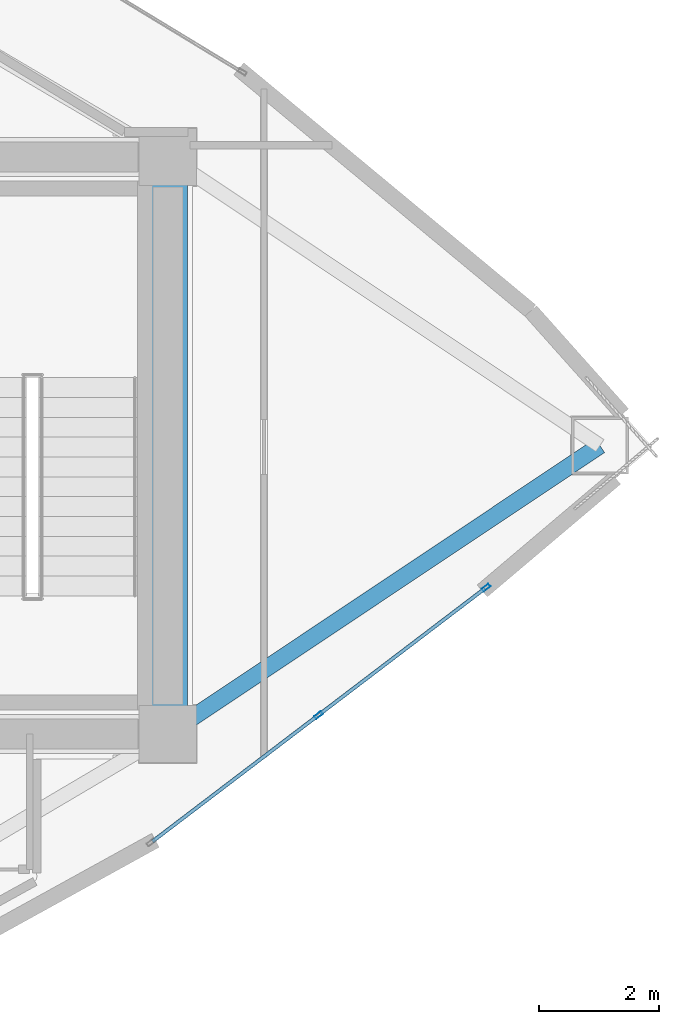
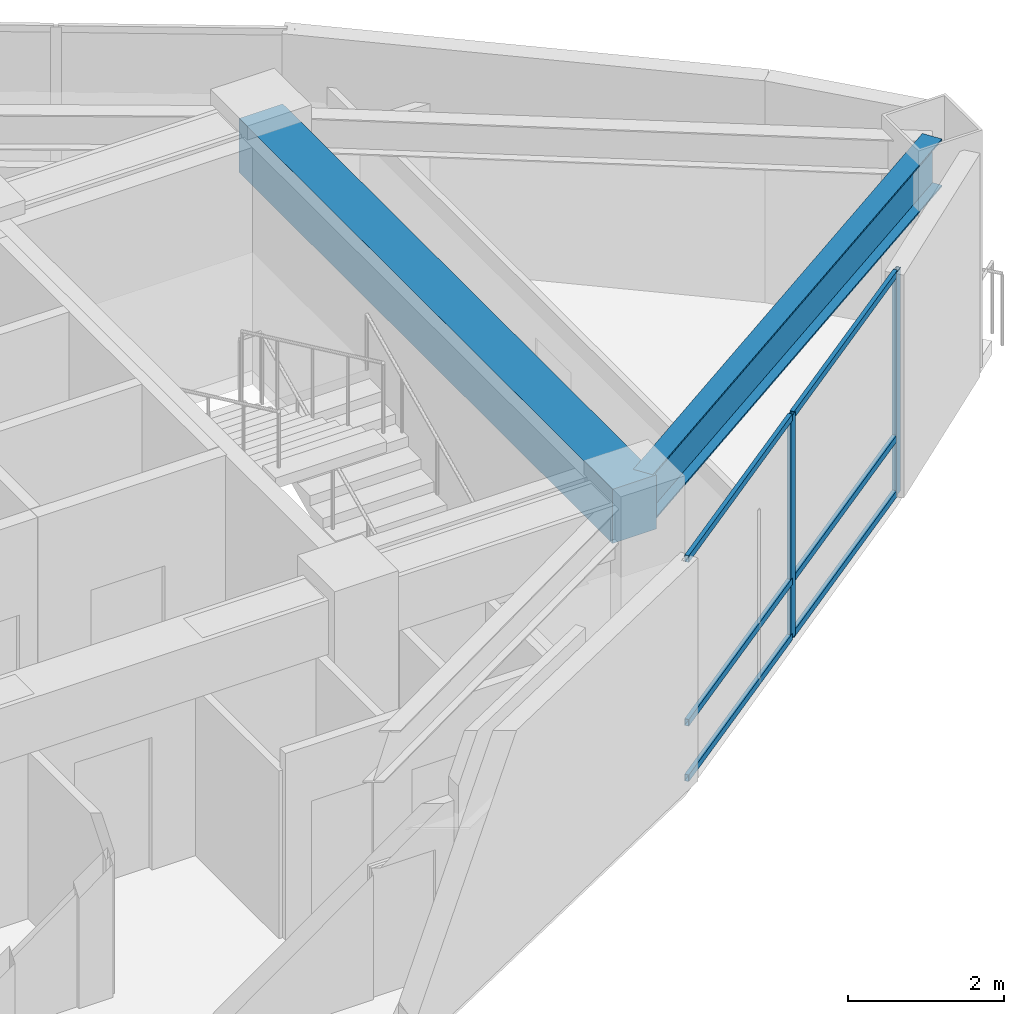
# One storey, part 5 of 15: 8 members, 2 beams, 1 element without a shape of its own.
"""IFC4 building model written with IfcOpenShell, lengths in metres."""

from ifc_helpers import new_model, si_unit, direction, frame, origin, origin_2d, place, context, subcontext, project, spatial, rectangle, hollow_rectangle, i_section, extrude, material, layer, layer_set, material_profile, profile_set, type_object, element, aggregate, save


model = new_model("IFC4")

# Units and contexts
model_context = context("Model", 3, precision=1e-05, world=origin(), true_north=direction((0.0, 1.0)))
body_context = subcontext(model_context, "Body", "Model", "MODEL_VIEW")
ifc_project = project(units=[si_unit("LENGTHUNIT", "METRE"), si_unit("AREAUNIT", "SQUARE_METRE"), si_unit("VOLUMEUNIT", "CUBIC_METRE"), si_unit("PLANEANGLEUNIT", "RADIAN"), si_unit("MASSUNIT", "GRAM", prefix="KILO")], contexts=[model_context])

# Site, building, storey
site_placement = place(None, origin())
site = spatial("IfcSite", under=ifc_project, at=site_placement, CompositionType="ELEMENT")
building_placement = place(site_placement, origin())
building = spatial("IfcBuilding", under=site, at=building_placement, Name="Menara Vayukalpa", CompositionType="ELEMENT")
storey_placement = place(building_placement, frame((0.0, 0.0, 180.360107421875)))
storey = spatial("IfcBuildingStorey", under=building, at=storey_placement, Name="L45", CompositionType="ELEMENT", Elevation=180.360107421875)

# Beams
ifc_material_1 = material(Name="Concrete C60/75", Category="concrete")
ifc_material_profile_1 = material_profile(ifc_material_1, rectangle(XDim=0.64990234375, YDim=0.85009765625, at=origin_2d()), Name="RC 650x850")
ifc_profile_set_1 = profile_set([ifc_material_profile_1], Name="Concrete C60/75")
beam_type_1 = type_object("IfcBeamType", Name="BM-CB1", PredefinedType="BEAM", material=ifc_profile_set_1)
beam_1_placement = place(storey_placement, frame((33.39990234375, 17.199951171875, 3.074951171875), z_axis=(0.0, 1.0, 0.0), x_axis=(-1.0, 0.0, 0.0)))
element("IfcBeam", 1, at=beam_1_placement, inside=storey, type_object=beam_type_1, Name="L45 Core Tie Beam CBR8", PredefinedType="BEAM", context=body_context, shape_type="SweptSolid", body=[
    extrude(rectangle(XDim=0.64990234375, YDim=0.85009765625, at=origin_2d()), origin(), (0.0, 0.0, 1.0), 9.60009765625),
])
ifc_material_2 = material(Name="Steel S355", Category="steel")
ifc_material_profile_2 = material_profile(ifc_material_2, i_section(OverallWidth=0.280029296875, OverallDepth=0.75, WebThickness=0.013916015625, FlangeThickness=0.02490234375, at=origin_2d()), Name="WF 750x280x14x25")
ifc_profile_set_2 = profile_set([ifc_material_profile_2], Name="Steel S355")
beam_type_2 = type_object("IfcBeamType", Name="BM-PG4", PredefinedType="BEAM", material=ifc_profile_set_2)
beam_2_placement = place(storey_placement, frame((33.60791015625, 17.3388671875, 3.125), z_axis=(0.831719080732, 0.555196695547, 0.0), x_axis=(-0.555196695547, 0.831719080732, 0.0)))
element("IfcBeam", 2, at=beam_2_placement, inside=storey, type_object=beam_type_2, Name="L45 Primary Radial Girder RG01", PredefinedType="BEAM", context=body_context, shape_type="SweptSolid", body=[
    extrude(i_section(OverallWidth=0.280029296875, OverallDepth=0.75, WebThickness=0.013916015625, FlangeThickness=0.02490234375, at=origin_2d()), origin(), (0.0, 0.0, 1.0), 8.3955078125),
])

# Curtain wall, members
ifc_material_3 = material(Name="Anodised Terracotta Aluminium Alloy 6063-T6", Category="masonry")
ifc_layer = layer(ifc_material_3, 0.139892578125)
ifc_layer_set = layer_set([ifc_layer], Name="Anodised Terracotta Aluminium Alloy 6063-T6")
curtain_wall_type = type_object("IfcCurtainWallType", Name="CW-CW5", PredefinedType="USERDEFINED", material=ifc_layer_set)
curtain_wall_placement = place(storey_placement, origin())
curtain_wall = element("IfcCurtainWall", 3, at=curtain_wall_placement, inside=storey, type_object=curtain_wall_type, Name="L45 High Rise Tapered Curtain Wall CW5 19", ObjectType="UNITISED", PredefinedType="USERDEFINED")
ifc_material_4 = material(Name="Anodised Terracotta Aluminium Alloy 6063-T6", Category="masonry")
ifc_material_profile_3 = material_profile(ifc_material_4, hollow_rectangle(XDim=0.06005859375, YDim=0.139892578125, WallThickness=0.00341796875, at=origin_2d()), Name="ALU 60x140x3.5")
ifc_profile_set_3 = profile_set([ifc_material_profile_3], Name="Anodised Terracotta Aluminium Alloy 6063-T6")
member_type_1 = type_object("IfcMemberType", Name="CWM-CW5", PredefinedType="MULLION", material=ifc_profile_set_3)
member_1_placement = place(storey_placement, frame((35.90966796875, 17.517822265625, 0.0), z_axis=(0.0, 0.0, 1.0), x_axis=(-0.60554034445, 0.795814608589, 0.0)))
member_1 = element("IfcMember", 4, at=member_1_placement, type_object=member_type_1, Name="CW5 mullion 2", PredefinedType="MULLION", context=body_context, shape_type="SweptSolid", body=[
    extrude(hollow_rectangle(XDim=0.06005859375, YDim=0.139892578125, WallThickness=0.00341796875, at=origin_2d()), origin(), (0.0, 0.0, 1.0), 3.5),
])
member_2_placement = place(storey_placement, frame((38.697265625, 19.638916015625, 0.0), z_axis=(0.0, 0.0, 1.0), x_axis=(-0.60554034445, 0.795814608589, 0.0)))
member_2 = element("IfcMember", 5, at=member_2_placement, type_object=member_type_1, Name="CW5 mullion 3", PredefinedType="MULLION", context=body_context, shape_type="SweptSolid", body=[
    extrude(hollow_rectangle(XDim=0.06005859375, YDim=0.139892578125, WallThickness=0.00341796875, at=origin_2d()), origin(), (0.0, 0.0, 1.0), 3.5),
])
ifc_material_5 = material(Name="Anodised Terracotta Aluminium Alloy 6063-T6", Category="masonry")
ifc_material_profile_4 = material_profile(ifc_material_5, hollow_rectangle(XDim=0.06005859375, YDim=0.10498046875, WallThickness=0.0029296875, at=origin_2d()), Name="ALU 60x105x3")
ifc_profile_set_4 = profile_set([ifc_material_profile_4], Name="Anodised Terracotta Aluminium Alloy 6063-T6")
member_type_2 = type_object("IfcMemberType", Name="CWT-CW5", PredefinedType="USERDEFINED", material=ifc_profile_set_4)
member_3_placement = place(storey_placement, frame((33.14599609375, 15.414794921875, 0.02978515625), z_axis=(0.795836865502, 0.605511092803, 0.0), x_axis=(-0.605511092803, 0.795836865502, 0.0)))
member_3 = element("IfcMember", 6, at=member_3_placement, type_object=member_type_2, Name="CW5 transom 1.1", ObjectType="TRANSOM", PredefinedType="USERDEFINED", context=body_context, shape_type="SweptSolid", body=[
    extrude(hollow_rectangle(XDim=0.06005859375, YDim=0.10498046875, WallThickness=0.0029296875, at=origin_2d()), origin(), (0.0, 0.0, 1.0), 3.44287109375),
])
member_4_placement = place(storey_placement, frame((33.14599609375, 15.414794921875, 0.89990234375), z_axis=(0.795836865502, 0.605511092803, 0.0), x_axis=(-0.605511092803, 0.795836865502, 0.0)))
member_4 = element("IfcMember", 7, at=member_4_placement, type_object=member_type_2, Name="CW5 transom 1.2", ObjectType="TRANSOM", PredefinedType="USERDEFINED", context=body_context, shape_type="SweptSolid", body=[
    extrude(hollow_rectangle(XDim=0.06005859375, YDim=0.10498046875, WallThickness=0.0029296875, at=origin_2d()), origin(), (0.0, 0.0, 1.0), 3.44287109375),
])
member_5_placement = place(storey_placement, frame((33.14599609375, 15.414794921875, 3.469970703125), z_axis=(0.795836865502, 0.605511092803, 0.0), x_axis=(-0.605511092803, 0.795836865502, 0.0)))
member_5 = element("IfcMember", 8, at=member_5_placement, type_object=member_type_2, Name="CW5 transom 1.3", ObjectType="TRANSOM", PredefinedType="USERDEFINED", context=body_context, shape_type="SweptSolid", body=[
    extrude(hollow_rectangle(XDim=0.06005859375, YDim=0.10498046875, WallThickness=0.0029296875, at=origin_2d()), origin(), (0.0, 0.0, 1.0), 3.44287109375),
])
member_6_placement = place(storey_placement, frame((35.93359375, 17.535888671875, 0.02978515625), z_axis=(0.795810864143, 0.605545265453, 0.0), x_axis=(-0.605545265453, 0.795810864143, 0.0)))
member_6 = element("IfcMember", 9, at=member_6_placement, type_object=member_type_2, Name="CW5 transom 2.1", ObjectType="TRANSOM", PredefinedType="USERDEFINED", context=body_context, shape_type="SweptSolid", body=[
    extrude(hollow_rectangle(XDim=0.06005859375, YDim=0.10498046875, WallThickness=0.0029296875, at=origin_2d()), origin(), (0.0, 0.0, 1.0), 3.442626953125),
])
member_7_placement = place(storey_placement, frame((35.93359375, 17.535888671875, 0.89990234375), z_axis=(0.795810864143, 0.605545265453, 0.0), x_axis=(-0.605545265453, 0.795810864143, 0.0)))
member_7 = element("IfcMember", 10, at=member_7_placement, type_object=member_type_2, Name="CW5 transom 2.2", ObjectType="TRANSOM", PredefinedType="USERDEFINED", context=body_context, shape_type="SweptSolid", body=[
    extrude(hollow_rectangle(XDim=0.06005859375, YDim=0.10498046875, WallThickness=0.0029296875, at=origin_2d()), origin(), (0.0, 0.0, 1.0), 3.442626953125),
])
member_8_placement = place(storey_placement, frame((35.93359375, 17.535888671875, 3.469970703125), z_axis=(0.795810864143, 0.605545265453, 0.0), x_axis=(-0.605545265453, 0.795810864143, 0.0)))
member_8 = element("IfcMember", 11, at=member_8_placement, type_object=member_type_2, Name="CW5 transom 2.3", ObjectType="TRANSOM", PredefinedType="USERDEFINED", context=body_context, shape_type="SweptSolid", body=[
    extrude(hollow_rectangle(XDim=0.06005859375, YDim=0.10498046875, WallThickness=0.0029296875, at=origin_2d()), origin(), (0.0, 0.0, 1.0), 3.442626953125),
])
aggregate(curtain_wall, [member_1, member_2, member_3, member_4, member_5, member_6, member_7, member_8])

save(model, "model.ifc")
